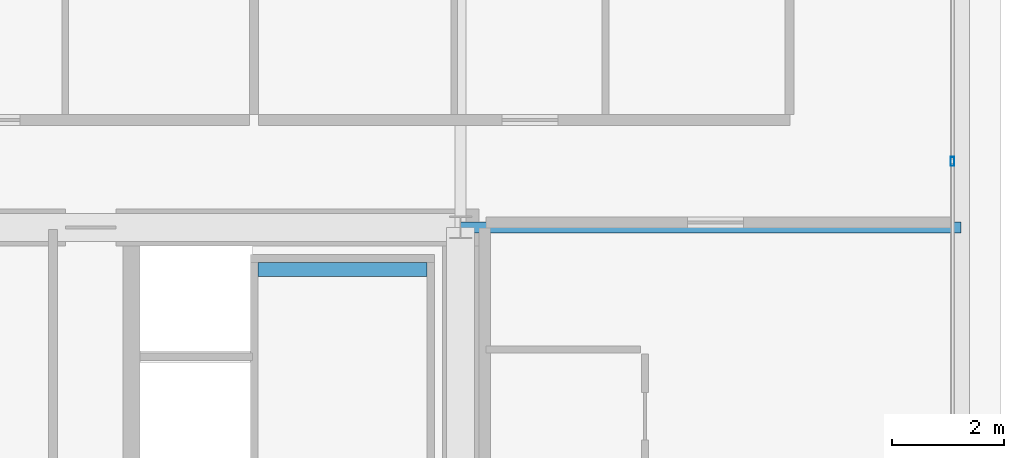
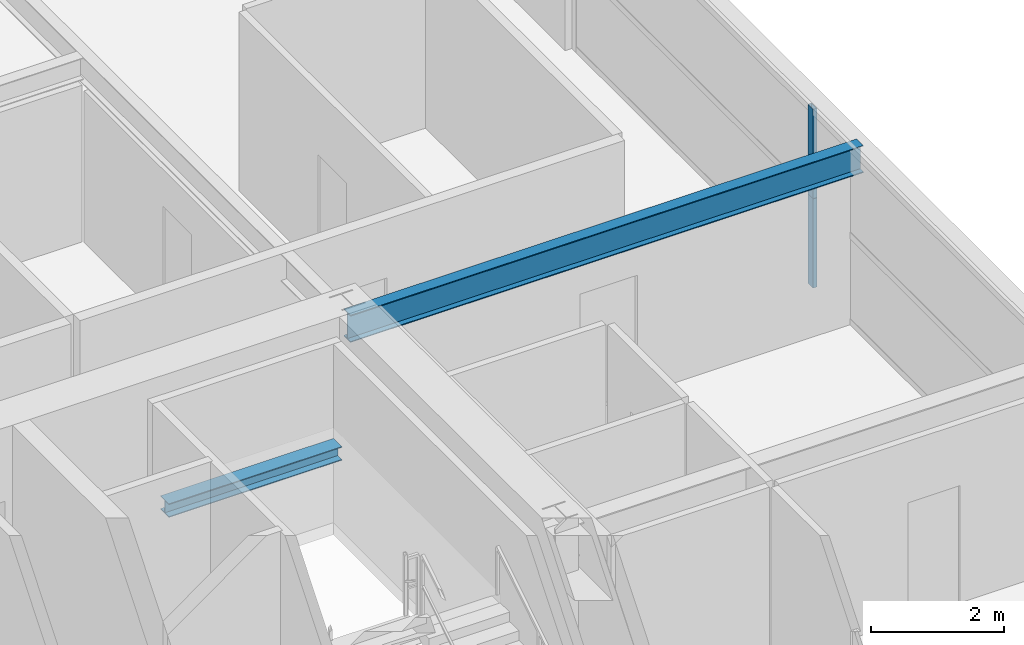
# One storey, part 21 of 38: 2 beams, 2 members, 1 element without a shape of its own.
"""IFC4 building model written with IfcOpenShell, lengths in metres."""

import ifcopenshell
import ifcopenshell.guid

model = None  # the IFC model being written
_history = None  # IfcOwnerHistory: only IFC2X3 demands one
_inside = {}  # id of a spatial element -> (the spatial element, [elements in it])
_under = {}  # id of a project, library or spatial element -> (it, [spatial elements below it])
_declared = {}  # id of a project -> (the project, [libraries it declares])
_typed = {}  # id of a type object -> (the type object, [elements of that type])
_made_of = {}  # id of a material, layer set ... -> (it, [elements and type objects made of it])


def new_model(schema):
    """Start an empty IFC model of exactly this schema.

    Asked for "IFC4X3", IfcOpenShell would pick the latest addendum, in which some entities
    have other attributes; the version numbers below select the first issue.
    IFC2X3 requires an IfcOwnerHistory on every rooted entity: one is made here for all.
    """
    global model, _history
    if schema == "IFC4X3":
        model = ifcopenshell.file(schema_version=(4, 3, 0, 0))
    else:
        model = ifcopenshell.file(schema=schema)
    _inside.clear()
    _under.clear()
    _declared.clear()
    _typed.clear()
    _made_of.clear()
    _history = None
    if model.schema == "IFC2X3":
        org = make("IfcOrganization", Name="unknown")
        user = make(
            "IfcPersonAndOrganization",
            ThePerson=make("IfcPerson", FamilyName="unknown"),
            TheOrganization=org,
        )
        app = make(
            "IfcApplication",
            ApplicationDeveloper=org,
            Version="unknown",
            ApplicationFullName="unknown",
            ApplicationIdentifier="unknown",
        )
        _history = make(
            "IfcOwnerHistory",
            OwningUser=user,
            OwningApplication=app,
            ChangeAction="ADDED",
            CreationDate=0,
        )
    return model


def make(cls, **values):
    """One entity of the class cls with the attributes given. An attribute that is None is left unset."""
    return model.create_entity(
        cls, **{name: value for name, value in values.items() if value is not None}
    )


def rooted(cls, **values):
    """An entity with a GlobalId (a new one), such as an element, a storey or a relation."""
    return make(cls, GlobalId=ifcopenshell.guid.new(), OwnerHistory=_history, **values)


def si_unit(unit_type, name, prefix=None):
    """IfcSIUnit, for example si_unit("LENGTHUNIT", "METRE", prefix="MILLI")."""
    return make("IfcSIUnit", UnitType=unit_type, Prefix=prefix, Name=name)


def assignment(units):
    """IfcUnitAssignment: the units of a project."""
    return None if units is None else make("IfcUnitAssignment", Units=units)


def point(xyz):
    """IfcCartesianPoint."""
    return None if xyz is None else make("IfcCartesianPoint", Coordinates=xyz)


def direction(xyz):
    """IfcDirection."""
    return None if xyz is None else make("IfcDirection", DirectionRatios=xyz)


def frame(location, z_axis=None, x_axis=None):
    """IfcAxis2Placement3D, a coordinate frame: its origin and axes. An axis left out is left unset."""
    return make(
        "IfcAxis2Placement3D",
        Location=point(location),
        Axis=direction(z_axis),
        RefDirection=direction(x_axis),
    )


def frame_2d(location, x_axis=None):
    """IfcAxis2Placement2D, a coordinate frame in the plane: its origin and x axis."""
    return make(
        "IfcAxis2Placement2D", Location=point(location), RefDirection=direction(x_axis)
    )


def origin():
    """The frame at (0, 0, 0) with its axes left unset."""
    return frame((0.0, 0.0, 0.0))


def origin_2d():
    """The frame at (0, 0) in the plane with its x axis left unset."""
    return frame_2d((0.0, 0.0))


def place(relative_to, where):
    """IfcLocalPlacement: puts the frame where relative to a parent placement (None: the world)."""
    return make(
        "IfcLocalPlacement", PlacementRelTo=relative_to, RelativePlacement=where
    )


def context(
    kind, dimensions, precision=None, world=None, true_north=None, identifier=None
):
    """IfcGeometricRepresentationContext, for example the 3D "Model" context."""
    return make(
        "IfcGeometricRepresentationContext",
        ContextIdentifier=identifier,
        ContextType=kind,
        CoordinateSpaceDimension=dimensions,
        Precision=precision,
        WorldCoordinateSystem=world,
        TrueNorth=true_north,
    )


def subcontext(parent, identifier, kind, view, scale=None):
    """IfcGeometricRepresentationSubContext, for example "Body" below "Model"."""
    return make(
        "IfcGeometricRepresentationSubContext",
        ContextIdentifier=identifier,
        ContextType=kind,
        ParentContext=parent,
        TargetScale=scale,
        TargetView=view,
    )


def project(units=None, contexts=None):
    """IfcProject with its units and contexts."""
    return rooted(
        "IfcProject",
        Name="project",
        RepresentationContexts=contexts,
        UnitsInContext=assignment(units),
    )


def spatial(cls, under=None, at=None, **own):
    """A site, building, storey or space (cls), placed at a placement, below another one or the project."""
    s = rooted(cls, ObjectPlacement=at, **own)
    if under is not None:
        _under.setdefault(under.id(), (under, []))[1].append(s)
    return s


def profile(cls, at=None, kind="AREA", **sizes):
    """A parametric profile (cls). Its sizes go by their IFC names, for example OverallWidth=200.0."""
    return make(cls, ProfileType=kind, Position=at, **sizes)


def hollow_rectangle(**sizes):
    """IfcRectangleHollowProfileDef."""
    return profile("IfcRectangleHollowProfileDef", **sizes)


def i_section(**sizes):
    """IfcIShapeProfileDef."""
    return profile("IfcIShapeProfileDef", **sizes)


def extrude(swept, where, along, depth):
    """IfcExtrudedAreaSolid: the profile swept, set in the frame where, extruded along a direction by depth."""
    return make(
        "IfcExtrudedAreaSolid",
        SweptArea=swept,
        Position=where,
        ExtrudedDirection=direction(along),
        Depth=depth,
    )


def shape(context_of_items, identifier, shape_type, items):
    """IfcShapeRepresentation: the items that make up one representation, for example the "Body"."""
    return make(
        "IfcShapeRepresentation",
        ContextOfItems=context_of_items,
        RepresentationIdentifier=identifier,
        RepresentationType=shape_type,
        Items=items,
    )


def source(mapping_origin, context_of_items, identifier, shape_type, items):
    """IfcRepresentationMap: a shape defined once, which mapped items show again and again."""
    return make(
        "IfcRepresentationMap",
        MappingOrigin=mapping_origin,
        MappedRepresentation=shape(context_of_items, identifier, shape_type, items),
    )


def transform(
    local_origin,
    x_axis=None,
    y_axis=None,
    z_axis=None,
    scale=None,
    scale2=None,
    scale3=None,
    uniform=True,
):
    """IfcCartesianTransformationOperator3D, or its non-uniform kind. x_axis, y_axis, z_axis: its Axis1, 2, 3."""
    if uniform:
        return make(
            "IfcCartesianTransformationOperator3D",
            Axis1=direction(x_axis),
            Axis2=direction(y_axis),
            LocalOrigin=point(local_origin),
            Scale=scale,
            Axis3=direction(z_axis),
        )
    return make(
        "IfcCartesianTransformationOperator3DnonUniform",
        Axis1=direction(x_axis),
        Axis2=direction(y_axis),
        LocalOrigin=point(local_origin),
        Scale=scale,
        Axis3=direction(z_axis),
        Scale2=scale2,
        Scale3=scale3,
    )


def mapped(mapping_source, mapping_target):
    """IfcMappedItem: shows the shape of a source again, moved by a transform."""
    return make(
        "IfcMappedItem", MappingSource=mapping_source, MappingTarget=mapping_target
    )


def material(Name=None, Category=None):
    """IfcMaterial."""
    return make("IfcMaterial", Name=Name, Category=Category)


def layer(
    of_material, thickness, ventilated=None, Name=None, Category=None, Priority=None
):
    """IfcMaterialLayer: one layer of a wall or slab, of a material (None: an air gap)."""
    return make(
        "IfcMaterialLayer",
        Material=of_material,
        LayerThickness=thickness,
        IsVentilated=ventilated,
        Name=Name,
        Category=Category,
        Priority=Priority,
    )


def layer_set(layers, Name=None):
    """IfcMaterialLayerSet."""
    return make("IfcMaterialLayerSet", MaterialLayers=layers, LayerSetName=Name)


def material_profile(
    of_material, cross_section, Name=None, Category=None, Priority=None
):
    """IfcMaterialProfile: a cross section and its material."""
    return make(
        "IfcMaterialProfile",
        Name=Name,
        Material=of_material,
        Profile=cross_section,
        Priority=Priority,
        Category=Category,
    )


def profile_set(profiles, Name=None, composite=None):
    """IfcMaterialProfileSet."""
    return make(
        "IfcMaterialProfileSet",
        Name=Name,
        MaterialProfiles=profiles,
        CompositeProfile=composite,
    )


def made_of(thing, what):
    """Note that an element or type object is made of a material, layer set ...; save() writes the relation."""
    if what is not None:
        _made_of.setdefault(what.id(), (what, []))[1].append(thing)
    return thing


def type_object(cls, material=None, **own):
    """A type object (cls), such as IfcWallType, which elements share."""
    return made_of(rooted(cls, **own), material)


def element(
    cls,
    number,
    at=None,
    inside=None,
    cuts=None,
    type_object=None,
    material=None,
    context=None,
    identifier="Body",
    shape_type=None,
    held_by="IfcProductDefinitionShape",
    body=None,
    shapes=None,
    **own,
):
    """One element of the class cls, such as IfcWall. Its Tag is "e" and its number.

    at: its placement. inside: the storey or other place that contains it. cuts: it is an
    opening in that element (IfcRelVoidsElement). A single representation is given by context,
    identifier, shape_type and body (its items); several are given by shapes. held_by: the class
    of the entity that holds the representations. save() writes the other relations.
    """
    e = rooted(cls, Tag="e%d" % number, ObjectPlacement=at, **own)
    if body is not None:
        shapes = [shape(context, identifier, shape_type, body)]
    if shapes is not None:
        e.Representation = make(held_by, Representations=shapes)
    if inside is not None:
        _inside.setdefault(inside.id(), (inside, []))[1].append(e)
    if cuts is not None:
        rooted(
            "IfcRelVoidsElement", RelatingBuildingElement=cuts, RelatedOpeningElement=e
        )
    if type_object is not None:
        _typed.setdefault(type_object.id(), (type_object, []))[1].append(e)
    return made_of(e, material)


def aggregate(whole, parts):
    """IfcRelAggregates: a whole, such as a stair, and the parts it consists of."""
    return rooted("IfcRelAggregates", RelatingObject=whole, RelatedObjects=parts)


def save(model, path):
    """Write the relations noted so far, then the file.

    IfcRelAggregates (storeys below a building ...), IfcRelContainedInSpatialStructure (elements
    in a storey), IfcRelDefinesByType, IfcRelAssociatesMaterial and IfcRelDeclares: one each for
    every whole, place, type object, material and project.
    """
    for whole, parts in _under.values():
        aggregate(whole, parts)
    for where, things in _inside.values():
        rooted(
            "IfcRelContainedInSpatialStructure",
            RelatedElements=things,
            RelatingStructure=where,
        )
    for kind, things in _typed.values():
        rooted("IfcRelDefinesByType", RelatedObjects=things, RelatingType=kind)
    for what, things in _made_of.values():
        rooted("IfcRelAssociatesMaterial", RelatedObjects=things, RelatingMaterial=what)
    for by, libraries in _declared.values():
        rooted("IfcRelDeclares", RelatingContext=by, RelatedDefinitions=libraries)
    model.write(path)


model = new_model("IFC4")

# Units and contexts
model_context = context("Model", 3, precision=1e-05, world=origin(), true_north=direction((0.0, 1.0)))
body_context = subcontext(model_context, "Body", "Model", "MODEL_VIEW")
ifc_project = project(units=[si_unit("LENGTHUNIT", "METRE"), si_unit("AREAUNIT", "SQUARE_METRE"), si_unit("VOLUMEUNIT", "CUBIC_METRE"), si_unit("PLANEANGLEUNIT", "RADIAN"), si_unit("MASSUNIT", "GRAM", prefix="KILO"), si_unit("THERMODYNAMICTEMPERATUREUNIT", "KELVIN"), si_unit("POWERUNIT", "WATT")], contexts=[model_context])

# Site, building, storey
site_placement = place(None, origin())
site = spatial("IfcSite", under=ifc_project, at=site_placement, CompositionType="ELEMENT")
building_placement = place(site_placement, origin())
building = spatial("IfcBuilding", under=site, at=building_placement, Name="Yuzanri Waterfront Tower", CompositionType="ELEMENT")
storey_placement = place(building_placement, frame((0.0, 0.0, 181.0)))
storey = spatial("IfcBuildingStorey", under=building, at=storey_placement, Name="L47", CompositionType="ELEMENT", Elevation=181.0)

# Beam
ifc_material_1 = material(Name="Steel Q355B", Category="steel")
ifc_material_profile_1 = material_profile(ifc_material_1, i_section(OverallWidth=0.199951171875, OverallDepth=0.5, WebThickness=0.010009765625, FlangeThickness=0.01611328125, at=origin_2d()), Name="HN 500x200x10x16")
ifc_profile_set_1 = profile_set([ifc_material_profile_1], Name="Steel Q355B")
beam_type_1 = type_object("IfcBeamType", Name="Secondary Floor Beam Q355B HN 500x200", PredefinedType="BEAM", material=ifc_profile_set_1)
shared_shape_1 = source(origin(), body_context, "Body", "SweptSolid", [
    extrude(i_section(OverallWidth=0.199951171875, OverallDepth=0.5, WebThickness=0.010009765625, FlangeThickness=0.01611328125, at=origin_2d()), origin(), (0.0, 0.0, 1.0), 8.900146484375),
])
beam_1_placement = place(storey_placement, frame((50.199951171875, 32.199951171875, 3.030029296875), z_axis=(1.0, 0.0, 0.0), x_axis=(0.0, 1.0, 0.0)))
element("IfcBeam", 1, at=beam_1_placement, inside=storey, type_object=beam_type_1, Name="L47 East-North Core Line Beam", PredefinedType="BEAM", context=body_context, shape_type="MappedRepresentation", body=[
    mapped(shared_shape_1, transform((0.0, 0.0, 0.0), scale=1.0)),
])

# Curtain wall, members
ifc_material_2 = material(Name="Anodized Architectural Bronze", Category="metal")
ifc_layer = layer(ifc_material_2, 0.159912109375)
ifc_layer_set = layer_set([ifc_layer], Name="Anodized Architectural Bronze")
curtain_wall_type = type_object("IfcCurtainWallType", Name="Anodized Bronze Mid-Rise Residential Acoustic Unitized Curtain Wall 7200", PredefinedType="NOTDEFINED", material=ifc_layer_set)
curtain_wall_placement = place(storey_placement, origin())
curtain_wall = element("IfcCurtainWall", 2, at=curtain_wall_placement, inside=storey, type_object=curtain_wall_type, Name="L47 Curtain Wall CW-L47-ER", PredefinedType="NOTDEFINED")
ifc_material_3 = material(Name="Anodized Architectural Bronze", Category="metal")
ifc_material_profile_2 = material_profile(ifc_material_3, hollow_rectangle(XDim=0.06494140625, YDim=0.159912109375, WallThickness=0.00341796875, at=origin_2d()), Name="CWM 65x160")
ifc_profile_set_2 = profile_set([ifc_material_profile_2], Name="Anodized Architectural Bronze")
member_type = type_object("IfcMemberType", Name="Anodized Bronze Upper-Zone Curtain-Wall Mullion 65x160", PredefinedType="MULLION", material=ifc_profile_set_2)
shared_shape_2 = source(origin(), body_context, "Body", "SweptSolid", [
    extrude(hollow_rectangle(XDim=0.06494140625, YDim=0.159912109375, WallThickness=0.00341796875, at=origin_2d()), origin(), (0.0, 0.0, 1.0), 1.637939453125),
])
member_1_placement = place(storey_placement, frame((58.949951171875, 33.375, 0.0), z_axis=(0.0, 0.0, 1.0), x_axis=(1.0, 0.0, 0.0)))
member_1 = element("IfcMember", 3, at=member_1_placement, type_object=member_type, Name="CW-L47-ER Lower Mullion 01", PredefinedType="MULLION", context=body_context, shape_type="MappedRepresentation", body=[
    mapped(shared_shape_2, transform((0.0, 0.0, 0.0), scale=1.0)),
])
member_2_placement = place(storey_placement, frame((58.949951171875, 33.375, 1.64208984375), z_axis=(0.0, 0.0, 1.0), x_axis=(1.0, 0.0, 0.0)))
member_2 = element("IfcMember", 4, at=member_2_placement, type_object=member_type, Name="CW-L47-ER Upper Mullion 01", PredefinedType="MULLION", context=body_context, shape_type="MappedRepresentation", body=[
    mapped(shared_shape_2, transform((0.0, 0.0, 0.0), scale=1.0)),
])
aggregate(curtain_wall, [member_1, member_2])

# Beam
ifc_material_4 = material(Name="Steel Q355B", Category="steel")
ifc_material_profile_3 = material_profile(ifc_material_4, i_section(OverallWidth=0.25, OverallDepth=0.25, WebThickness=0.009033203125, FlangeThickness=0.013916015625, at=origin_2d()), Name="HW 250x250x9x14")
ifc_profile_set_3 = profile_set([ifc_material_profile_3], Name="Steel Q355B")
beam_type_2 = type_object("IfcBeamType", Name="Stair Landing Support Beam Q355B HW 250x250", PredefinedType="BEAM", material=ifc_profile_set_3)
shared_shape_3 = source(origin(), body_context, "Body", "SweptSolid", [
    extrude(i_section(OverallWidth=0.25, OverallDepth=0.25, WebThickness=0.009033203125, FlangeThickness=0.013916015625, at=origin_2d()), origin(), (0.0, 0.0, 1.0), 3.0),
])
beam_2_placement = place(storey_placement, frame((46.60009765625, 31.449951171875, 1.425048828125), z_axis=(1.0, 0.0, 0.0), x_axis=(0.0, 1.0, 0.0)))
element("IfcBeam", 5, at=beam_2_placement, inside=storey, type_object=beam_type_2, Name="L47 Stair Landing Support Beam ST-02-L47-L1-2", PredefinedType="BEAM", context=body_context, shape_type="MappedRepresentation", body=[
    mapped(shared_shape_3, transform((0.0, 0.0, 0.0), scale=1.0)),
])

save(model, "model.ifc")
